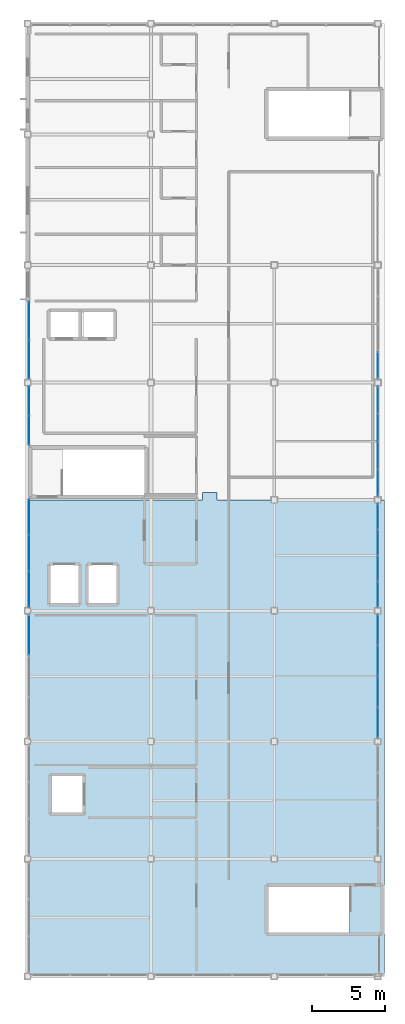
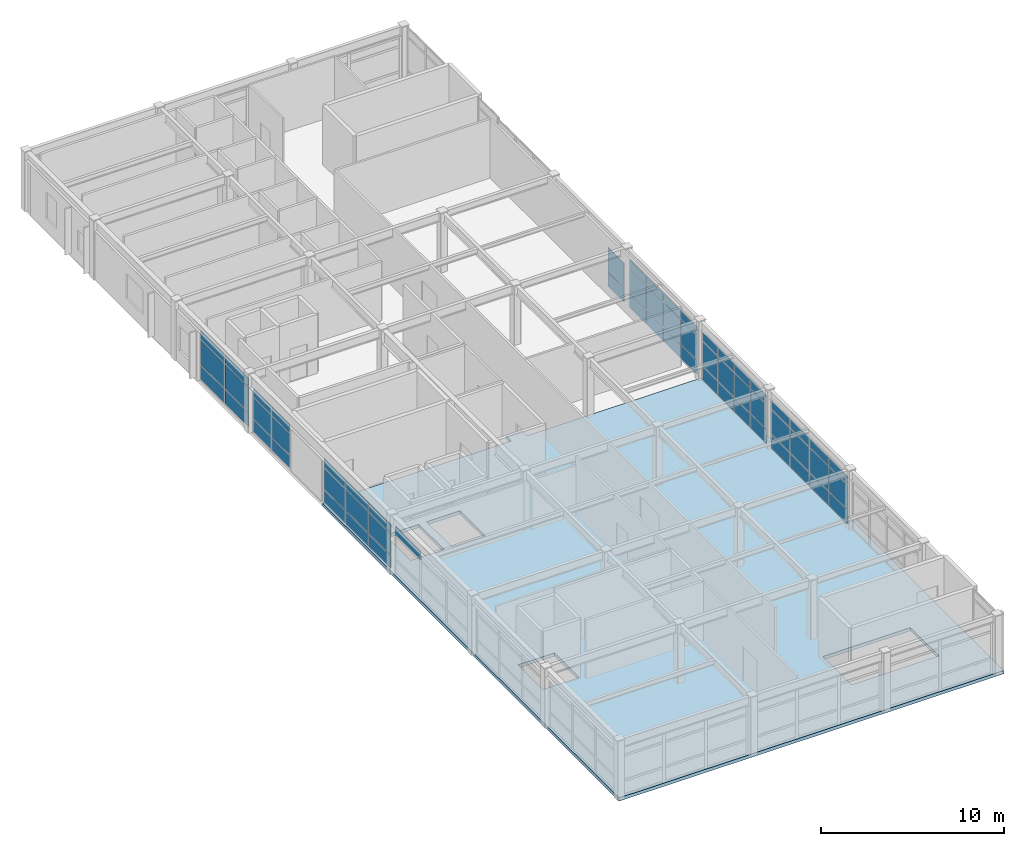
# One storey, part 29 of 34: 60 plates, 1 slab, 8 elements without a shape of their own.
"""IFC4 building model written with IfcOpenShell, lengths in metres."""

from ifc_helpers import new_model, si_unit, direction, frame, origin, origin_2d, place, context, subcontext, project, spatial, polyline, rectangle, outline, extrude, material, layer, layer_set, type_object, element, aggregate, save


model = new_model("IFC4")

# Units and contexts
model_context = context("Model", 3, precision=1e-05, world=origin(), true_north=direction((0.0, 1.0)))
body_context = subcontext(model_context, "Body", "Model", "MODEL_VIEW")
ifc_project = project(units=[si_unit("LENGTHUNIT", "METRE"), si_unit("AREAUNIT", "SQUARE_METRE"), si_unit("VOLUMEUNIT", "CUBIC_METRE"), si_unit("PLANEANGLEUNIT", "RADIAN"), si_unit("MASSUNIT", "GRAM", prefix="KILO")], contexts=[model_context])

# Site, building, storey
site_placement = place(None, origin())
site = spatial("IfcSite", under=ifc_project, at=site_placement, CompositionType="ELEMENT")
building_placement = place(site_placement, origin())
building = spatial("IfcBuilding", under=site, at=building_placement, Name="Kazehara Bluff Congress Hotel", CompositionType="ELEMENT")
storey_placement = place(building_placement, frame((0.0, 0.0, 46.199951171875)))
storey = spatial("IfcBuildingStorey", under=building, at=storey_placement, Name="L11", CompositionType="ELEMENT", Elevation=46.199951171875)

# Curtain wall, plates
ifc_material_1 = material(Name="Anodised aluminium", Category="aluminium")
ifc_layer_1 = layer(ifc_material_1, 0.159912109375)
ifc_layer_set_1 = layer_set([ifc_layer_1], Name="Anodised aluminium")
curtain_wall_type_1 = type_object("IfcCurtainWallType", Name="TP-CW-85", PredefinedType="NOTDEFINED", material=ifc_layer_set_1)
curtain_wall_1_placement = place(storey_placement, origin())
curtain_wall_1 = element("IfcCurtainWall", 1, at=curtain_wall_1_placement, inside=storey, type_object=curtain_wall_type_1, Name="L11 curtain wall CW-85 CW-V5-L11-X16755-3222", PredefinedType="NOTDEFINED")
ifc_material_2 = material(Name="Insulated low-E double glazing", Category="glass")
ifc_layer_2 = layer(ifc_material_2, 0.028076171875)
ifc_layer_set_2 = layer_set([ifc_layer_2], Name="Insulated low-E double glazing")
plate_type_1 = type_object("IfcPlateType", Name="TP-CWP-01", PredefinedType="CURTAIN_PANEL", material=ifc_layer_set_2)
plate_1_placement = place(storey_placement, frame((167.550048828125, 33.297607421875, 0.06494140625), z_axis=(0.0, 0.0, 1.0), x_axis=(0.0, 1.0, 0.0)))
plate_1 = element("IfcPlate", 2, at=plate_1_placement, type_object=plate_type_1, Name="CW-85 panel 1.1", PredefinedType="CURTAIN_PANEL", context=body_context, shape_type="SweptSolid", body=[
    extrude(rectangle(XDim=2.014892578125, YDim=0.028076171875, at=origin_2d()), origin(), (0.0, 0.0, 1.0), 0.902587890625),
])
plate_2_placement = place(storey_placement, frame((167.550048828125, 33.297607421875, 1.03271484375), z_axis=(0.0, 0.0, 1.0), x_axis=(0.0, 1.0, 0.0)))
plate_2 = element("IfcPlate", 3, at=plate_2_placement, type_object=plate_type_1, Name="CW-85 panel 1.2", PredefinedType="CURTAIN_PANEL", context=body_context, shape_type="SweptSolid", body=[
    extrude(rectangle(XDim=2.014892578125, YDim=0.028076171875, at=origin_2d()), origin(), (0.0, 0.0, 1.0), 1.610107421875),
])
plate_3_placement = place(storey_placement, frame((167.550048828125, 33.297607421875, 2.70751953125), z_axis=(0.0, 0.0, 1.0), x_axis=(0.0, 1.0, 0.0)))
plate_3 = element("IfcPlate", 4, at=plate_3_placement, type_object=plate_type_1, Name="CW-85 panel 1.3", PredefinedType="CURTAIN_PANEL", context=body_context, shape_type="SweptSolid", body=[
    extrude(rectangle(XDim=2.014892578125, YDim=0.028076171875, at=origin_2d()), origin(), (0.0, 0.0, 1.0), 0.552490234375),
])
plate_4_placement = place(storey_placement, frame((167.550048828125, 35.393798828125, 0.06494140625), z_axis=(0.0, 0.0, 1.0), x_axis=(0.0, 1.0, 0.0)))
plate_4 = element("IfcPlate", 5, at=plate_4_placement, type_object=plate_type_1, Name="CW-85 panel 2.1", PredefinedType="CURTAIN_PANEL", context=body_context, shape_type="SweptSolid", body=[
    extrude(rectangle(XDim=2.047607421875, YDim=0.028076171875, at=origin_2d()), origin(), (0.0, 0.0, 1.0), 0.902587890625),
])
plate_5_placement = place(storey_placement, frame((167.550048828125, 35.393798828125, 1.03271484375), z_axis=(0.0, 0.0, 1.0), x_axis=(0.0, 1.0, 0.0)))
plate_5 = element("IfcPlate", 6, at=plate_5_placement, type_object=plate_type_1, Name="CW-85 panel 2.2", PredefinedType="CURTAIN_PANEL", context=body_context, shape_type="SweptSolid", body=[
    extrude(rectangle(XDim=2.047607421875, YDim=0.028076171875, at=origin_2d()), origin(), (0.0, 0.0, 1.0), 1.610107421875),
])
plate_6_placement = place(storey_placement, frame((167.550048828125, 35.393798828125, 2.70751953125), z_axis=(0.0, 0.0, 1.0), x_axis=(0.0, 1.0, 0.0)))
plate_6 = element("IfcPlate", 7, at=plate_6_placement, type_object=plate_type_1, Name="CW-85 panel 2.3", PredefinedType="CURTAIN_PANEL", context=body_context, shape_type="SweptSolid", body=[
    extrude(rectangle(XDim=2.047607421875, YDim=0.028076171875, at=origin_2d()), origin(), (0.0, 0.0, 1.0), 0.552490234375),
])
plate_7_placement = place(storey_placement, frame((167.550048828125, 37.50634765625, 0.06494140625), z_axis=(0.0, 0.0, 1.0), x_axis=(0.0, 1.0, 0.0)))
plate_7 = element("IfcPlate", 8, at=plate_7_placement, type_object=plate_type_1, Name="CW-85 panel 3.1", PredefinedType="CURTAIN_PANEL", context=body_context, shape_type="SweptSolid", body=[
    extrude(rectangle(XDim=2.047607421875, YDim=0.028076171875, at=origin_2d()), origin(), (0.0, 0.0, 1.0), 0.902587890625),
])
plate_8_placement = place(storey_placement, frame((167.550048828125, 37.50634765625, 1.03271484375), z_axis=(0.0, 0.0, 1.0), x_axis=(0.0, 1.0, 0.0)))
plate_8 = element("IfcPlate", 9, at=plate_8_placement, type_object=plate_type_1, Name="CW-85 panel 3.2", PredefinedType="CURTAIN_PANEL", context=body_context, shape_type="SweptSolid", body=[
    extrude(rectangle(XDim=2.047607421875, YDim=0.028076171875, at=origin_2d()), origin(), (0.0, 0.0, 1.0), 1.610107421875),
])
plate_9_placement = place(storey_placement, frame((167.550048828125, 37.50634765625, 2.70751953125), z_axis=(0.0, 0.0, 1.0), x_axis=(0.0, 1.0, 0.0)))
plate_9 = element("IfcPlate", 10, at=plate_9_placement, type_object=plate_type_1, Name="CW-85 panel 3.3", PredefinedType="CURTAIN_PANEL", context=body_context, shape_type="SweptSolid", body=[
    extrude(rectangle(XDim=2.047607421875, YDim=0.028076171875, at=origin_2d()), origin(), (0.0, 0.0, 1.0), 0.552490234375),
])
plate_10_placement = place(storey_placement, frame((167.550048828125, 39.6025390625, 0.06494140625), z_axis=(0.0, 0.0, 1.0), x_axis=(0.0, 1.0, 0.0)))
plate_10 = element("IfcPlate", 11, at=plate_10_placement, type_object=plate_type_1, Name="CW-85 panel 4.1", PredefinedType="CURTAIN_PANEL", context=body_context, shape_type="SweptSolid", body=[
    extrude(rectangle(XDim=2.014892578125, YDim=0.028076171875, at=origin_2d()), origin(), (0.0, 0.0, 1.0), 0.902587890625),
])
plate_11_placement = place(storey_placement, frame((167.550048828125, 39.6025390625, 1.03271484375), z_axis=(0.0, 0.0, 1.0), x_axis=(0.0, 1.0, 0.0)))
plate_11 = element("IfcPlate", 12, at=plate_11_placement, type_object=plate_type_1, Name="CW-85 panel 4.2", PredefinedType="CURTAIN_PANEL", context=body_context, shape_type="SweptSolid", body=[
    extrude(rectangle(XDim=2.014892578125, YDim=0.028076171875, at=origin_2d()), origin(), (0.0, 0.0, 1.0), 1.610107421875),
])
plate_12_placement = place(storey_placement, frame((167.550048828125, 39.6025390625, 2.70751953125), z_axis=(0.0, 0.0, 1.0), x_axis=(0.0, 1.0, 0.0)))
plate_12 = element("IfcPlate", 13, at=plate_12_placement, type_object=plate_type_1, Name="CW-85 panel 4.3", PredefinedType="CURTAIN_PANEL", context=body_context, shape_type="SweptSolid", body=[
    extrude(rectangle(XDim=2.014892578125, YDim=0.028076171875, at=origin_2d()), origin(), (0.0, 0.0, 1.0), 0.552490234375),
])
aggregate(curtain_wall_1, [plate_1, plate_2, plate_3, plate_4, plate_5, plate_6, plate_7, plate_8, plate_9, plate_10, plate_11, plate_12])

ifc_material_3 = material(Name="Anodised aluminium", Category="aluminium")
ifc_layer_3 = layer(ifc_material_3, 0.159912109375)
ifc_layer_set_3 = layer_set([ifc_layer_3], Name="Anodised aluminium")
curtain_wall_type_2 = type_object("IfcCurtainWallType", Name="TP-CW-86", PredefinedType="NOTDEFINED", material=ifc_layer_set_3)
curtain_wall_2_placement = place(storey_placement, origin())
curtain_wall_2 = element("IfcCurtainWall", 14, at=curtain_wall_2_placement, inside=storey, type_object=curtain_wall_type_2, Name="L11 curtain wall CW-86 CW-V5-L11-X16755-4112", PredefinedType="NOTDEFINED")
plate_13_placement = place(storey_placement, frame((167.550048828125, 42.02880859375, 0.06494140625), z_axis=(0.0, 0.0, 1.0), x_axis=(0.0, 1.0, 0.0)))
plate_13 = element("IfcPlate", 15, at=plate_13_placement, type_object=plate_type_1, Name="CW-86 panel 1.1", PredefinedType="CURTAIN_PANEL", context=body_context, shape_type="SweptSolid", body=[
    extrude(rectangle(XDim=1.677490234375, YDim=0.028076171875, at=origin_2d()), origin(), (0.0, 0.0, 1.0), 0.902587890625),
])
plate_14_placement = place(storey_placement, frame((167.550048828125, 42.02880859375, 1.03271484375), z_axis=(0.0, 0.0, 1.0), x_axis=(0.0, 1.0, 0.0)))
plate_14 = element("IfcPlate", 16, at=plate_14_placement, type_object=plate_type_1, Name="CW-86 panel 1.2", PredefinedType="CURTAIN_PANEL", context=body_context, shape_type="SweptSolid", body=[
    extrude(rectangle(XDim=1.677490234375, YDim=0.028076171875, at=origin_2d()), origin(), (0.0, 0.0, 1.0), 1.610107421875),
])
plate_15_placement = place(storey_placement, frame((167.550048828125, 42.02880859375, 2.70751953125), z_axis=(0.0, 0.0, 1.0), x_axis=(0.0, 1.0, 0.0)))
plate_15 = element("IfcPlate", 17, at=plate_15_placement, type_object=plate_type_1, Name="CW-86 panel 1.3", PredefinedType="CURTAIN_PANEL", context=body_context, shape_type="SweptSolid", body=[
    extrude(rectangle(XDim=1.677490234375, YDim=0.028076171875, at=origin_2d()), origin(), (0.0, 0.0, 1.0), 0.552490234375),
])
plate_16_placement = place(storey_placement, frame((167.550048828125, 43.78759765625, 0.06494140625), z_axis=(0.0, 0.0, 1.0), x_axis=(0.0, 1.0, 0.0)))
plate_16 = element("IfcPlate", 18, at=plate_16_placement, type_object=plate_type_1, Name="CW-86 panel 2.1", PredefinedType="CURTAIN_PANEL", context=body_context, shape_type="SweptSolid", body=[
    extrude(rectangle(XDim=1.7099609375, YDim=0.028076171875, at=origin_2d()), origin(), (0.0, 0.0, 1.0), 0.902587890625),
])
plate_17_placement = place(storey_placement, frame((167.550048828125, 43.78759765625, 1.03271484375), z_axis=(0.0, 0.0, 1.0), x_axis=(0.0, 1.0, 0.0)))
plate_17 = element("IfcPlate", 19, at=plate_17_placement, type_object=plate_type_1, Name="CW-86 panel 2.2", PredefinedType="CURTAIN_PANEL", context=body_context, shape_type="SweptSolid", body=[
    extrude(rectangle(XDim=1.7099609375, YDim=0.028076171875, at=origin_2d()), origin(), (0.0, 0.0, 1.0), 1.610107421875),
])
plate_18_placement = place(storey_placement, frame((167.550048828125, 43.78759765625, 2.70751953125), z_axis=(0.0, 0.0, 1.0), x_axis=(0.0, 1.0, 0.0)))
plate_18 = element("IfcPlate", 20, at=plate_18_placement, type_object=plate_type_1, Name="CW-86 panel 2.3", PredefinedType="CURTAIN_PANEL", context=body_context, shape_type="SweptSolid", body=[
    extrude(rectangle(XDim=1.7099609375, YDim=0.028076171875, at=origin_2d()), origin(), (0.0, 0.0, 1.0), 0.552490234375),
])
plate_19_placement = place(storey_placement, frame((167.550048828125, 45.5625, 0.06494140625), z_axis=(0.0, 0.0, 1.0), x_axis=(0.0, 1.0, 0.0)))
plate_19 = element("IfcPlate", 21, at=plate_19_placement, type_object=plate_type_1, Name="CW-86 panel 3.1", PredefinedType="CURTAIN_PANEL", context=body_context, shape_type="SweptSolid", body=[
    extrude(rectangle(XDim=1.7099609375, YDim=0.028076171875, at=origin_2d()), origin(), (0.0, 0.0, 1.0), 0.902587890625),
])
plate_20_placement = place(storey_placement, frame((167.550048828125, 45.5625, 1.03271484375), z_axis=(0.0, 0.0, 1.0), x_axis=(0.0, 1.0, 0.0)))
plate_20 = element("IfcPlate", 22, at=plate_20_placement, type_object=plate_type_1, Name="CW-86 panel 3.2", PredefinedType="CURTAIN_PANEL", context=body_context, shape_type="SweptSolid", body=[
    extrude(rectangle(XDim=1.7099609375, YDim=0.028076171875, at=origin_2d()), origin(), (0.0, 0.0, 1.0), 1.610107421875),
])
plate_21_placement = place(storey_placement, frame((167.550048828125, 45.5625, 2.70751953125), z_axis=(0.0, 0.0, 1.0), x_axis=(0.0, 1.0, 0.0)))
plate_21 = element("IfcPlate", 23, at=plate_21_placement, type_object=plate_type_1, Name="CW-86 panel 3.3", PredefinedType="CURTAIN_PANEL", context=body_context, shape_type="SweptSolid", body=[
    extrude(rectangle(XDim=1.7099609375, YDim=0.028076171875, at=origin_2d()), origin(), (0.0, 0.0, 1.0), 0.552490234375),
])
plate_22_placement = place(storey_placement, frame((167.550048828125, 47.3212890625, 0.06494140625), z_axis=(0.0, 0.0, 1.0), x_axis=(0.0, 1.0, 0.0)))
plate_22 = element("IfcPlate", 24, at=plate_22_placement, type_object=plate_type_1, Name="CW-86 panel 4.1", PredefinedType="CURTAIN_PANEL", context=body_context, shape_type="SweptSolid", body=[
    extrude(rectangle(XDim=1.677490234375, YDim=0.028076171875, at=origin_2d()), origin(), (0.0, 0.0, 1.0), 0.902587890625),
])
plate_23_placement = place(storey_placement, frame((167.550048828125, 47.3212890625, 1.03271484375), z_axis=(0.0, 0.0, 1.0), x_axis=(0.0, 1.0, 0.0)))
plate_23 = element("IfcPlate", 25, at=plate_23_placement, type_object=plate_type_1, Name="CW-86 panel 4.2", PredefinedType="CURTAIN_PANEL", context=body_context, shape_type="SweptSolid", body=[
    extrude(rectangle(XDim=1.677490234375, YDim=0.028076171875, at=origin_2d()), origin(), (0.0, 0.0, 1.0), 1.610107421875),
])
plate_24_placement = place(storey_placement, frame((167.550048828125, 47.3212890625, 2.70751953125), z_axis=(0.0, 0.0, 1.0), x_axis=(0.0, 1.0, 0.0)))
plate_24 = element("IfcPlate", 26, at=plate_24_placement, type_object=plate_type_1, Name="CW-86 panel 4.3", PredefinedType="CURTAIN_PANEL", context=body_context, shape_type="SweptSolid", body=[
    extrude(rectangle(XDim=1.677490234375, YDim=0.028076171875, at=origin_2d()), origin(), (0.0, 0.0, 1.0), 0.552490234375),
])
aggregate(curtain_wall_2, [plate_13, plate_14, plate_15, plate_16, plate_17, plate_18, plate_19, plate_20, plate_21, plate_22, plate_23, plate_24])

ifc_material_4 = material(Name="Anodised aluminium", Category="aluminium")
ifc_layer_4 = layer(ifc_material_4, 0.159912109375)
ifc_layer_set_4 = layer_set([ifc_layer_4], Name="Anodised aluminium")
curtain_wall_type_3 = type_object("IfcCurtainWallType", Name="TP-CW-84", PredefinedType="NOTDEFINED", material=ifc_layer_set_4)
curtain_wall_3_placement = place(storey_placement, origin())
curtain_wall_3 = element("IfcCurtainWall", 27, at=curtain_wall_3_placement, inside=storey, type_object=curtain_wall_type_3, Name="L11 curtain wall CW-84 CW-V5-L11-X16755-4868", PredefinedType="NOTDEFINED")
plate_25_placement = place(storey_placement, frame((167.550048828125, 49.635009765625, 0.06494140625), z_axis=(0.0, 0.0, 1.0), x_axis=(0.0, 1.0, 0.0)))
plate_25 = element("IfcPlate", 28, at=plate_25_placement, type_object=plate_type_1, Name="CW-84 panel 1.1", PredefinedType="CURTAIN_PANEL", context=body_context, shape_type="SweptSolid", body=[
    extrude(rectangle(XDim=1.7900390625, YDim=0.028076171875, at=origin_2d()), origin(), (0.0, 0.0, 1.0), 0.902587890625),
])
plate_26_placement = place(storey_placement, frame((167.550048828125, 49.635009765625, 1.03271484375), z_axis=(0.0, 0.0, 1.0), x_axis=(0.0, 1.0, 0.0)))
plate_26 = element("IfcPlate", 29, at=plate_26_placement, type_object=plate_type_1, Name="CW-84 panel 1.2", PredefinedType="CURTAIN_PANEL", context=body_context, shape_type="SweptSolid", body=[
    extrude(rectangle(XDim=1.7900390625, YDim=0.028076171875, at=origin_2d()), origin(), (0.0, 0.0, 1.0), 1.610107421875),
])
plate_27_placement = place(storey_placement, frame((167.550048828125, 49.635009765625, 2.70751953125), z_axis=(0.0, 0.0, 1.0), x_axis=(0.0, 1.0, 0.0)))
plate_27 = element("IfcPlate", 30, at=plate_27_placement, type_object=plate_type_1, Name="CW-84 panel 1.3", PredefinedType="CURTAIN_PANEL", context=body_context, shape_type="SweptSolid", body=[
    extrude(rectangle(XDim=1.7900390625, YDim=0.028076171875, at=origin_2d()), origin(), (0.0, 0.0, 1.0), 0.552490234375),
])
plate_28_placement = place(storey_placement, frame((167.550048828125, 51.50634765625, 0.06494140625), z_axis=(0.0, 0.0, 1.0), x_axis=(0.0, 1.0, 0.0)))
plate_28 = element("IfcPlate", 31, at=plate_28_placement, type_object=plate_type_1, Name="CW-84 panel 2.1", PredefinedType="CURTAIN_PANEL", context=body_context, shape_type="SweptSolid", body=[
    extrude(rectangle(XDim=1.822509765625, YDim=0.028076171875, at=origin_2d()), origin(), (0.0, 0.0, 1.0), 0.902587890625),
])
plate_29_placement = place(storey_placement, frame((167.550048828125, 51.50634765625, 1.03271484375), z_axis=(0.0, 0.0, 1.0), x_axis=(0.0, 1.0, 0.0)))
plate_29 = element("IfcPlate", 32, at=plate_29_placement, type_object=plate_type_1, Name="CW-84 panel 2.2", PredefinedType="CURTAIN_PANEL", context=body_context, shape_type="SweptSolid", body=[
    extrude(rectangle(XDim=1.822509765625, YDim=0.028076171875, at=origin_2d()), origin(), (0.0, 0.0, 1.0), 1.610107421875),
])
plate_30_placement = place(storey_placement, frame((167.550048828125, 51.50634765625, 2.70751953125), z_axis=(0.0, 0.0, 1.0), x_axis=(0.0, 1.0, 0.0)))
plate_30 = element("IfcPlate", 33, at=plate_30_placement, type_object=plate_type_1, Name="CW-84 panel 2.3", PredefinedType="CURTAIN_PANEL", context=body_context, shape_type="SweptSolid", body=[
    extrude(rectangle(XDim=1.822509765625, YDim=0.028076171875, at=origin_2d()), origin(), (0.0, 0.0, 1.0), 0.552490234375),
])
plate_31_placement = place(storey_placement, frame((167.550048828125, 53.393798828125, 0.06494140625), z_axis=(0.0, 0.0, 1.0), x_axis=(0.0, 1.0, 0.0)))
plate_31 = element("IfcPlate", 34, at=plate_31_placement, type_object=plate_type_1, Name="CW-84 panel 3.1", PredefinedType="CURTAIN_PANEL", context=body_context, shape_type="SweptSolid", body=[
    extrude(rectangle(XDim=1.822509765625, YDim=0.028076171875, at=origin_2d()), origin(), (0.0, 0.0, 1.0), 0.902587890625),
])
plate_32_placement = place(storey_placement, frame((167.550048828125, 53.393798828125, 1.03271484375), z_axis=(0.0, 0.0, 1.0), x_axis=(0.0, 1.0, 0.0)))
plate_32 = element("IfcPlate", 35, at=plate_32_placement, type_object=plate_type_1, Name="CW-84 panel 3.2", PredefinedType="CURTAIN_PANEL", context=body_context, shape_type="SweptSolid", body=[
    extrude(rectangle(XDim=1.822509765625, YDim=0.028076171875, at=origin_2d()), origin(), (0.0, 0.0, 1.0), 1.610107421875),
])
plate_33_placement = place(storey_placement, frame((167.550048828125, 53.393798828125, 2.70751953125), z_axis=(0.0, 0.0, 1.0), x_axis=(0.0, 1.0, 0.0)))
plate_33 = element("IfcPlate", 36, at=plate_33_placement, type_object=plate_type_1, Name="CW-84 panel 3.3", PredefinedType="CURTAIN_PANEL", context=body_context, shape_type="SweptSolid", body=[
    extrude(rectangle(XDim=1.822509765625, YDim=0.028076171875, at=origin_2d()), origin(), (0.0, 0.0, 1.0), 0.552490234375),
])
plate_34_placement = place(storey_placement, frame((167.550048828125, 55.264892578125, 0.06494140625), z_axis=(0.0, 0.0, 1.0), x_axis=(0.0, 1.0, 0.0)))
plate_34 = element("IfcPlate", 37, at=plate_34_placement, type_object=plate_type_1, Name="CW-84 panel 4.1", PredefinedType="CURTAIN_PANEL", context=body_context, shape_type="SweptSolid", body=[
    extrude(rectangle(XDim=1.7900390625, YDim=0.028076171875, at=origin_2d()), origin(), (0.0, 0.0, 1.0), 0.902587890625),
])
plate_35_placement = place(storey_placement, frame((167.550048828125, 55.264892578125, 1.03271484375), z_axis=(0.0, 0.0, 1.0), x_axis=(0.0, 1.0, 0.0)))
plate_35 = element("IfcPlate", 38, at=plate_35_placement, type_object=plate_type_1, Name="CW-84 panel 4.2", PredefinedType="CURTAIN_PANEL", context=body_context, shape_type="SweptSolid", body=[
    extrude(rectangle(XDim=1.7900390625, YDim=0.028076171875, at=origin_2d()), origin(), (0.0, 0.0, 1.0), 1.610107421875),
])
plate_36_placement = place(storey_placement, frame((167.550048828125, 55.264892578125, 2.70751953125), z_axis=(0.0, 0.0, 1.0), x_axis=(0.0, 1.0, 0.0)))
plate_36 = element("IfcPlate", 39, at=plate_36_placement, type_object=plate_type_1, Name="CW-84 panel 4.3", PredefinedType="CURTAIN_PANEL", context=body_context, shape_type="SweptSolid", body=[
    extrude(rectangle(XDim=1.7900390625, YDim=0.028076171875, at=origin_2d()), origin(), (0.0, 0.0, 1.0), 0.552490234375),
])
aggregate(curtain_wall_3, [plate_25, plate_26, plate_27, plate_28, plate_29, plate_30, plate_31, plate_32, plate_33, plate_34, plate_35, plate_36])

curtain_wall_4_placement = place(storey_placement, origin())
curtain_wall_4 = element("IfcCurtainWall", 40, at=curtain_wall_4_placement, inside=storey, type_object=curtain_wall_type_3, Name="L11 curtain wall CW-84 CW-V5-L11-X16755-5668", PredefinedType="NOTDEFINED")
plate_37_placement = place(storey_placement, frame((167.550048828125, 57.635009765625, 0.06494140625), z_axis=(0.0, 0.0, 1.0), x_axis=(0.0, 1.0, 0.0)))
plate_37 = element("IfcPlate", 41, at=plate_37_placement, type_object=plate_type_1, Name="CW-84 panel 1.1", PredefinedType="CURTAIN_PANEL", context=body_context, shape_type="SweptSolid", body=[
    extrude(rectangle(XDim=1.7900390625, YDim=0.028076171875, at=origin_2d()), origin(), (0.0, 0.0, 1.0), 0.902587890625),
])
plate_38_placement = place(storey_placement, frame((167.550048828125, 57.635009765625, 1.03271484375), z_axis=(0.0, 0.0, 1.0), x_axis=(0.0, 1.0, 0.0)))
plate_38 = element("IfcPlate", 42, at=plate_38_placement, type_object=plate_type_1, Name="CW-84 panel 1.2", PredefinedType="CURTAIN_PANEL", context=body_context, shape_type="SweptSolid", body=[
    extrude(rectangle(XDim=1.7900390625, YDim=0.028076171875, at=origin_2d()), origin(), (0.0, 0.0, 1.0), 1.610107421875),
])
aggregate(curtain_wall_4, [plate_37, plate_38])

# Curtain wall, plate
ifc_material_5 = material(Name="Anodised aluminium", Category="aluminium")
ifc_layer_5 = layer(ifc_material_5, 0.159912109375)
ifc_layer_set_5 = layer_set([ifc_layer_5], Name="Anodised aluminium")
curtain_wall_type_4 = type_object("IfcCurtainWallType", Name="TP-CW-213", PredefinedType="NOTDEFINED", material=ifc_layer_set_5)
curtain_wall_5_placement = place(storey_placement, origin())
curtain_wall_5 = element("IfcCurtainWall", 43, at=curtain_wall_5_placement, inside=storey, type_object=curtain_wall_type_4, Name="L11 curtain wall CW-213 CW-ENC-V5-L11-14380-3645", PredefinedType="NOTDEFINED")
plate_39_placement = place(storey_placement, frame((143.800048828125, 39.25048828125, 2.607421875), z_axis=(0.0, 0.0, 1.0), x_axis=(0.0, 1.0, 0.0)))
plate_39 = element("IfcPlate", 44, at=plate_39_placement, type_object=plate_type_1, Name="CW-213 panel 3.3", PredefinedType="CURTAIN_PANEL", context=body_context, shape_type="SweptSolid", body=[
    extrude(rectangle(XDim=2.71923828125, YDim=0.028076171875, at=origin_2d()), origin(), (0.0, 0.0, 1.0), 0.552490234375),
])
aggregate(curtain_wall_5, [plate_39])

# Curtain wall, plates
ifc_material_6 = material(Name="Anodised aluminium", Category="aluminium")
ifc_layer_6 = layer(ifc_material_6, 0.159912109375)
ifc_layer_set_6 = layer_set([ifc_layer_6], Name="Anodised aluminium")
curtain_wall_type_5 = type_object("IfcCurtainWallType", Name="TP-CW-214", PredefinedType="NOTDEFINED", material=ifc_layer_set_6)
curtain_wall_6_placement = place(storey_placement, origin())
curtain_wall_6 = element("IfcCurtainWall", 45, at=curtain_wall_6_placement, inside=storey, type_object=curtain_wall_type_5, Name="L11 curtain wall CW-214 CW-ENC-V5-L11-14380-4483", PredefinedType="NOTDEFINED")
plate_40_placement = place(storey_placement, frame((143.800048828125, 42.377197265625, 0.06494140625), z_axis=(0.0, 0.0, 1.0), x_axis=(0.0, 1.0, 0.0)))
plate_40 = element("IfcPlate", 46, at=plate_40_placement, type_object=plate_type_1, Name="CW-214 panel 1.1", PredefinedType="CURTAIN_PANEL", context=body_context, shape_type="SweptSolid", body=[
    extrude(rectangle(XDim=2.374267578125, YDim=0.028076171875, at=origin_2d()), origin(), (0.0, 0.0, 1.0), 0.8125),
])
plate_41_placement = place(storey_placement, frame((143.800048828125, 42.377197265625, 0.942626953125), z_axis=(0.0, 0.0, 1.0), x_axis=(0.0, 1.0, 0.0)))
plate_41 = element("IfcPlate", 47, at=plate_41_placement, type_object=plate_type_1, Name="CW-214 panel 1.2", PredefinedType="CURTAIN_PANEL", context=body_context, shape_type="SweptSolid", body=[
    extrude(rectangle(XDim=2.374267578125, YDim=0.028076171875, at=origin_2d()), origin(), (0.0, 0.0, 1.0), 1.39990234375),
])
plate_42_placement = place(storey_placement, frame((143.800048828125, 42.377197265625, 2.40771484375), z_axis=(0.0, 0.0, 1.0), x_axis=(0.0, 1.0, 0.0)))
plate_42 = element("IfcPlate", 48, at=plate_42_placement, type_object=plate_type_1, Name="CW-214 panel 1.3", PredefinedType="CURTAIN_PANEL", context=body_context, shape_type="SweptSolid", body=[
    extrude(rectangle(XDim=2.374267578125, YDim=0.028076171875, at=origin_2d()), origin(), (0.0, 0.0, 1.0), 0.552490234375),
])
plate_43_placement = place(storey_placement, frame((143.800048828125, 44.83251953125, 0.06494140625), z_axis=(0.0, 0.0, 1.0), x_axis=(0.0, 1.0, 0.0)))
plate_43 = element("IfcPlate", 49, at=plate_43_placement, type_object=plate_type_1, Name="CW-214 panel 2.1", PredefinedType="CURTAIN_PANEL", context=body_context, shape_type="SweptSolid", body=[
    extrude(rectangle(XDim=2.40673828125, YDim=0.028076171875, at=origin_2d()), origin(), (0.0, 0.0, 1.0), 0.8125),
])
plate_44_placement = place(storey_placement, frame((143.800048828125, 44.83251953125, 0.942626953125), z_axis=(0.0, 0.0, 1.0), x_axis=(0.0, 1.0, 0.0)))
plate_44 = element("IfcPlate", 50, at=plate_44_placement, type_object=plate_type_1, Name="CW-214 panel 2.2", PredefinedType="CURTAIN_PANEL", context=body_context, shape_type="SweptSolid", body=[
    extrude(rectangle(XDim=2.40673828125, YDim=0.028076171875, at=origin_2d()), origin(), (0.0, 0.0, 1.0), 1.39990234375),
])
plate_45_placement = place(storey_placement, frame((143.800048828125, 44.83251953125, 2.40771484375), z_axis=(0.0, 0.0, 1.0), x_axis=(0.0, 1.0, 0.0)))
plate_45 = element("IfcPlate", 51, at=plate_45_placement, type_object=plate_type_1, Name="CW-214 panel 2.3", PredefinedType="CURTAIN_PANEL", context=body_context, shape_type="SweptSolid", body=[
    extrude(rectangle(XDim=2.40673828125, YDim=0.028076171875, at=origin_2d()), origin(), (0.0, 0.0, 1.0), 0.552490234375),
])
plate_46_placement = place(storey_placement, frame((143.800048828125, 47.287841796875, 0.06494140625), z_axis=(0.0, 0.0, 1.0), x_axis=(0.0, 1.0, 0.0)))
plate_46 = element("IfcPlate", 52, at=plate_46_placement, type_object=plate_type_1, Name="CW-214 panel 3.1", PredefinedType="CURTAIN_PANEL", context=body_context, shape_type="SweptSolid", body=[
    extrude(rectangle(XDim=2.374267578125, YDim=0.028076171875, at=origin_2d()), origin(), (0.0, 0.0, 1.0), 0.8125),
])
plate_47_placement = place(storey_placement, frame((143.800048828125, 47.287841796875, 0.942626953125), z_axis=(0.0, 0.0, 1.0), x_axis=(0.0, 1.0, 0.0)))
plate_47 = element("IfcPlate", 53, at=plate_47_placement, type_object=plate_type_1, Name="CW-214 panel 3.2", PredefinedType="CURTAIN_PANEL", context=body_context, shape_type="SweptSolid", body=[
    extrude(rectangle(XDim=2.374267578125, YDim=0.028076171875, at=origin_2d()), origin(), (0.0, 0.0, 1.0), 1.39990234375),
])
plate_48_placement = place(storey_placement, frame((143.800048828125, 47.287841796875, 2.40771484375), z_axis=(0.0, 0.0, 1.0), x_axis=(0.0, 1.0, 0.0)))
plate_48 = element("IfcPlate", 54, at=plate_48_placement, type_object=plate_type_1, Name="CW-214 panel 3.3", PredefinedType="CURTAIN_PANEL", context=body_context, shape_type="SweptSolid", body=[
    extrude(rectangle(XDim=2.374267578125, YDim=0.028076171875, at=origin_2d()), origin(), (0.0, 0.0, 1.0), 0.552490234375),
])
aggregate(curtain_wall_6, [plate_40, plate_41, plate_42, plate_43, plate_44, plate_45, plate_46, plate_47, plate_48])

ifc_material_7 = material(Name="Anodised aluminium", Category="aluminium")
ifc_layer_7 = layer(ifc_material_7, 0.159912109375)
ifc_layer_set_7 = layer_set([ifc_layer_7], Name="Anodised aluminium")
curtain_wall_type_6 = type_object("IfcCurtainWallType", Name="TP-CW-216", PredefinedType="NOTDEFINED", material=ifc_layer_set_7)
curtain_wall_7_placement = place(storey_placement, origin())
curtain_wall_7 = element("IfcCurtainWall", 55, at=curtain_wall_7_placement, inside=storey, type_object=curtain_wall_type_6, Name="L11 curtain wall CW-216 CW-ENC-V5-L11-14380-5934", PredefinedType="NOTDEFINED")
plate_49_placement = place(storey_placement, frame((143.800048828125, 58.021240234375, 0.06005859375), z_axis=(0.0, 0.0, 1.0), x_axis=(0.0, 1.0, 0.0)))
plate_49 = element("IfcPlate", 56, at=plate_49_placement, type_object=plate_type_1, Name="CW-216 panel 1.1", PredefinedType="CURTAIN_PANEL", context=body_context, shape_type="SweptSolid", body=[
    extrude(rectangle(XDim=2.572509765625, YDim=0.028076171875, at=origin_2d()), origin(), (0.0, 0.0, 1.0), 0.925048828125),
])
plate_50_placement = place(storey_placement, frame((143.800048828125, 58.021240234375, 1.045166015625), z_axis=(0.0, 0.0, 1.0), x_axis=(0.0, 1.0, 0.0)))
plate_50 = element("IfcPlate", 57, at=plate_50_placement, type_object=plate_type_1, Name="CW-216 panel 1.2", PredefinedType="CURTAIN_PANEL", context=body_context, shape_type="SweptSolid", body=[
    extrude(rectangle(XDim=2.572509765625, YDim=0.028076171875, at=origin_2d()), origin(), (0.0, 0.0, 1.0), 1.64990234375),
])
plate_51_placement = place(storey_placement, frame((143.800048828125, 58.021240234375, 2.755126953125), z_axis=(0.0, 0.0, 1.0), x_axis=(0.0, 1.0, 0.0)))
plate_51 = element("IfcPlate", 58, at=plate_51_placement, type_object=plate_type_1, Name="CW-216 panel 1.3", PredefinedType="CURTAIN_PANEL", context=body_context, shape_type="SweptSolid", body=[
    extrude(rectangle(XDim=2.572509765625, YDim=0.028076171875, at=origin_2d()), origin(), (0.0, 0.0, 1.0), 0.56005859375),
])
plate_52_placement = place(storey_placement, frame((143.800048828125, 60.65380859375, 0.06005859375), z_axis=(0.0, 0.0, 1.0), x_axis=(0.0, 1.0, 0.0)))
plate_52 = element("IfcPlate", 59, at=plate_52_placement, type_object=plate_type_1, Name="CW-216 panel 2.1", PredefinedType="CURTAIN_PANEL", context=body_context, shape_type="SweptSolid", body=[
    extrude(rectangle(XDim=2.572509765625, YDim=0.028076171875, at=origin_2d()), origin(), (0.0, 0.0, 1.0), 0.925048828125),
])
plate_53_placement = place(storey_placement, frame((143.800048828125, 60.65380859375, 1.045166015625), z_axis=(0.0, 0.0, 1.0), x_axis=(0.0, 1.0, 0.0)))
plate_53 = element("IfcPlate", 60, at=plate_53_placement, type_object=plate_type_1, Name="CW-216 panel 2.2", PredefinedType="CURTAIN_PANEL", context=body_context, shape_type="SweptSolid", body=[
    extrude(rectangle(XDim=2.572509765625, YDim=0.028076171875, at=origin_2d()), origin(), (0.0, 0.0, 1.0), 1.64990234375),
])
plate_54_placement = place(storey_placement, frame((143.800048828125, 60.65380859375, 2.755126953125), z_axis=(0.0, 0.0, 1.0), x_axis=(0.0, 1.0, 0.0)))
plate_54 = element("IfcPlate", 61, at=plate_54_placement, type_object=plate_type_1, Name="CW-216 panel 2.3", PredefinedType="CURTAIN_PANEL", context=body_context, shape_type="SweptSolid", body=[
    extrude(rectangle(XDim=2.572509765625, YDim=0.028076171875, at=origin_2d()), origin(), (0.0, 0.0, 1.0), 0.56005859375),
])
aggregate(curtain_wall_7, [plate_49, plate_50, plate_51, plate_52, plate_53, plate_54])

ifc_material_8 = material(Name="Anodised aluminium", Category="aluminium")
ifc_layer_8 = layer(ifc_material_8, 0.159912109375)
ifc_layer_set_8 = layer_set([ifc_layer_8], Name="Anodised aluminium")
curtain_wall_type_7 = type_object("IfcCurtainWallType", Name="TP-CW-215", PredefinedType="NOTDEFINED", material=ifc_layer_set_8)
curtain_wall_8_placement = place(storey_placement, origin())
curtain_wall_8 = element("IfcCurtainWall", 62, at=curtain_wall_8_placement, inside=storey, type_object=curtain_wall_type_7, Name="L11 curtain wall CW-215 CW-ENC-V5-L11-14380-5419", PredefinedType="NOTDEFINED")
ifc_material_9 = material(Name="Insulated low-E double glazing", Category="glass")
ifc_layer_9 = layer(ifc_material_9, 0.02001953125)
ifc_layer_set_9 = layer_set([ifc_layer_9], Name="Insulated low-E double glazing")
plate_type_2 = type_object("IfcPlateType", Name="TP-CWP-03", PredefinedType="CURTAIN_PANEL", material=ifc_layer_set_9)
plate_55_placement = place(storey_placement, frame((143.800048828125, 53.191162109375, 0.06005859375), z_axis=(0.0, 0.0, 1.0), x_axis=(0.0, 1.0, 0.0)))
plate_55 = element("IfcPlate", 63, at=plate_55_placement, type_object=plate_type_2, Name="CW-215 panel 1.1", PredefinedType="CURTAIN_PANEL", context=body_context, shape_type="SweptSolid", body=[
    extrude(rectangle(XDim=1.9423828125, YDim=0.02001953125, at=origin_2d()), origin(), (0.0, 0.0, 1.0), 0.820068359375),
])
plate_56_placement = place(storey_placement, frame((143.800048828125, 53.191162109375, 0.93994140625), z_axis=(0.0, 0.0, 1.0), x_axis=(0.0, 1.0, 0.0)))
plate_56 = element("IfcPlate", 64, at=plate_56_placement, type_object=plate_type_2, Name="CW-215 panel 1.2", PredefinedType="CURTAIN_PANEL", context=body_context, shape_type="SweptSolid", body=[
    extrude(rectangle(XDim=1.9423828125, YDim=0.02001953125, at=origin_2d()), origin(), (0.0, 0.0, 1.0), 1.405029296875),
])
plate_57_placement = place(storey_placement, frame((143.800048828125, 53.191162109375, 2.405029296875), z_axis=(0.0, 0.0, 1.0), x_axis=(0.0, 1.0, 0.0)))
plate_57 = element("IfcPlate", 65, at=plate_57_placement, type_object=plate_type_2, Name="CW-215 panel 1.3", PredefinedType="CURTAIN_PANEL", context=body_context, shape_type="SweptSolid", body=[
    extrude(rectangle(XDim=1.9423828125, YDim=0.02001953125, at=origin_2d()), origin(), (0.0, 0.0, 1.0), 0.56005859375),
])
plate_58_placement = place(storey_placement, frame((143.800048828125, 55.19384765625, 0.06005859375), z_axis=(0.0, 0.0, 1.0), x_axis=(0.0, 1.0, 0.0)))
plate_58 = element("IfcPlate", 66, at=plate_58_placement, type_object=plate_type_2, Name="CW-215 panel 2.1", PredefinedType="CURTAIN_PANEL", context=body_context, shape_type="SweptSolid", body=[
    extrude(rectangle(XDim=1.9423828125, YDim=0.02001953125, at=origin_2d()), origin(), (0.0, 0.0, 1.0), 0.820068359375),
])
plate_59_placement = place(storey_placement, frame((143.800048828125, 55.19384765625, 0.93994140625), z_axis=(0.0, 0.0, 1.0), x_axis=(0.0, 1.0, 0.0)))
plate_59 = element("IfcPlate", 67, at=plate_59_placement, type_object=plate_type_2, Name="CW-215 panel 2.2", PredefinedType="CURTAIN_PANEL", context=body_context, shape_type="SweptSolid", body=[
    extrude(rectangle(XDim=1.9423828125, YDim=0.02001953125, at=origin_2d()), origin(), (0.0, 0.0, 1.0), 1.405029296875),
])
plate_60_placement = place(storey_placement, frame((143.800048828125, 55.19384765625, 2.405029296875), z_axis=(0.0, 0.0, 1.0), x_axis=(0.0, 1.0, 0.0)))
plate_60 = element("IfcPlate", 68, at=plate_60_placement, type_object=plate_type_2, Name="CW-215 panel 2.3", PredefinedType="CURTAIN_PANEL", context=body_context, shape_type="SweptSolid", body=[
    extrude(rectangle(XDim=1.9423828125, YDim=0.02001953125, at=origin_2d()), origin(), (0.0, 0.0, 1.0), 0.56005859375),
])
aggregate(curtain_wall_8, [plate_55, plate_56, plate_57, plate_58, plate_59, plate_60])

# Slab
ifc_material_10 = material(Name="Concrete C36/45", Category="concrete")
ifc_layer_10 = layer(ifc_material_10, 0.219970703125)
ifc_layer_set_10 = layer_set([ifc_layer_10], Name="Concrete C36/45")
slab_type = type_object("IfcSlabType", Name="TP-SL-220", PredefinedType="FLOOR", material=ifc_layer_set_10)
slab_placement = place(storey_placement, frame((0.0, 0.0, -0.219970703125)))
element("IfcSlab", 69, at=slab_placement, inside=storey, type_object=slab_type, Name="L11 V5 composite floor slab S", PredefinedType="FLOOR", context=body_context, shape_type="SweptSolid", body=[
    extrude(outline(polyline([(143.699951171875, 16.0), (143.699951171875, 48.449951171875), (155.60009765625, 48.449951171875), (155.60009765625, 48.949951171875), (156.60009765625, 48.949951171875), (156.60009765625, 48.449951171875), (168.0, 48.449951171875), (168.0, 16.0), (143.699951171875, 16.0)]), holes=[polyline([(165.625, 22.10009765625), (160.10009765625, 22.10009765625), (160.10009765625, 19.0), (165.625, 19.0), (165.625, 22.10009765625)]), polyline([(145.14990234375, 41.324951171875), (147.25, 41.324951171875), (147.25, 44.074951171875), (145.14990234375, 44.074951171875), (145.14990234375, 41.324951171875)]), polyline([(147.75, 41.324951171875), (149.85009765625, 41.324951171875), (149.85009765625, 44.074951171875), (147.75, 44.074951171875), (147.75, 41.324951171875)]), polyline([(145.25, 27.050048828125), (147.550048828125, 27.050048828125), (147.550048828125, 29.75), (145.25, 29.75), (145.25, 27.050048828125)])]), origin(), (0.0, 0.0, 1.0), 0.219970703125),
])

save(model, "model.ifc")
